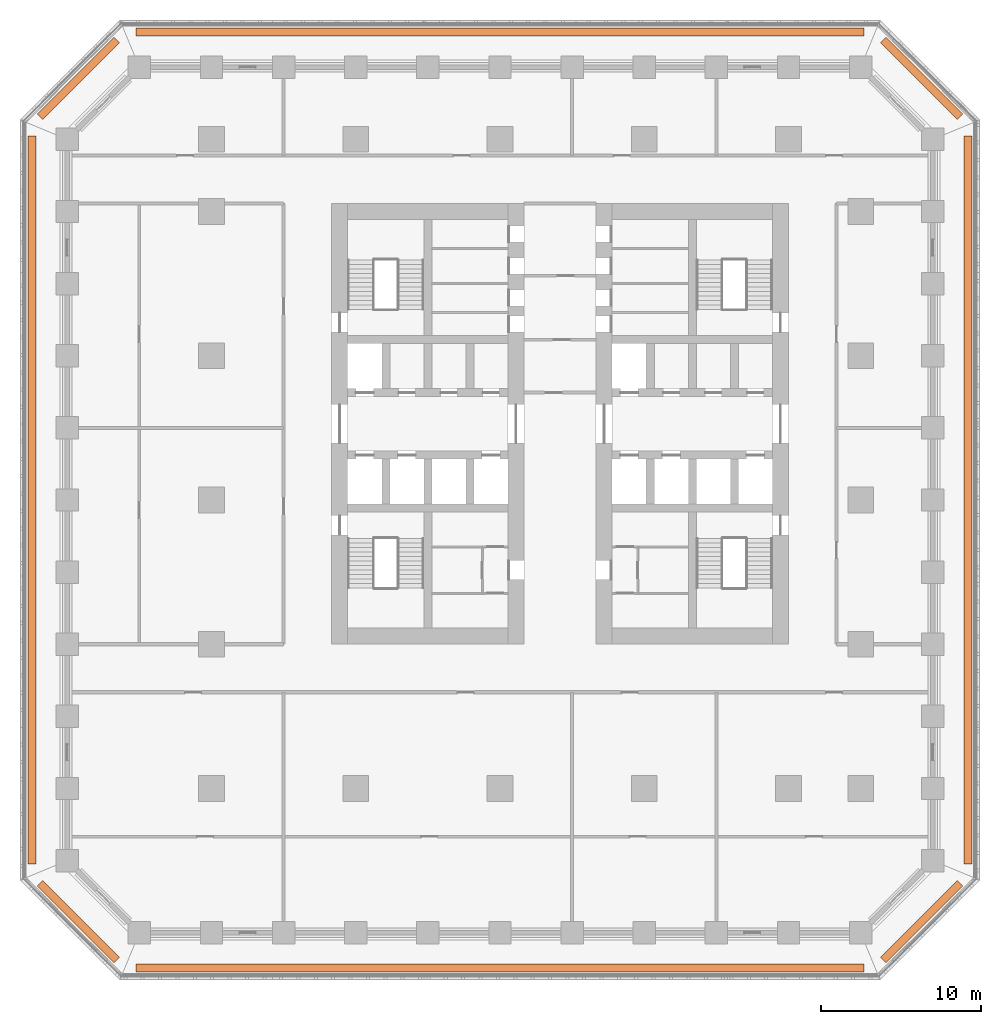
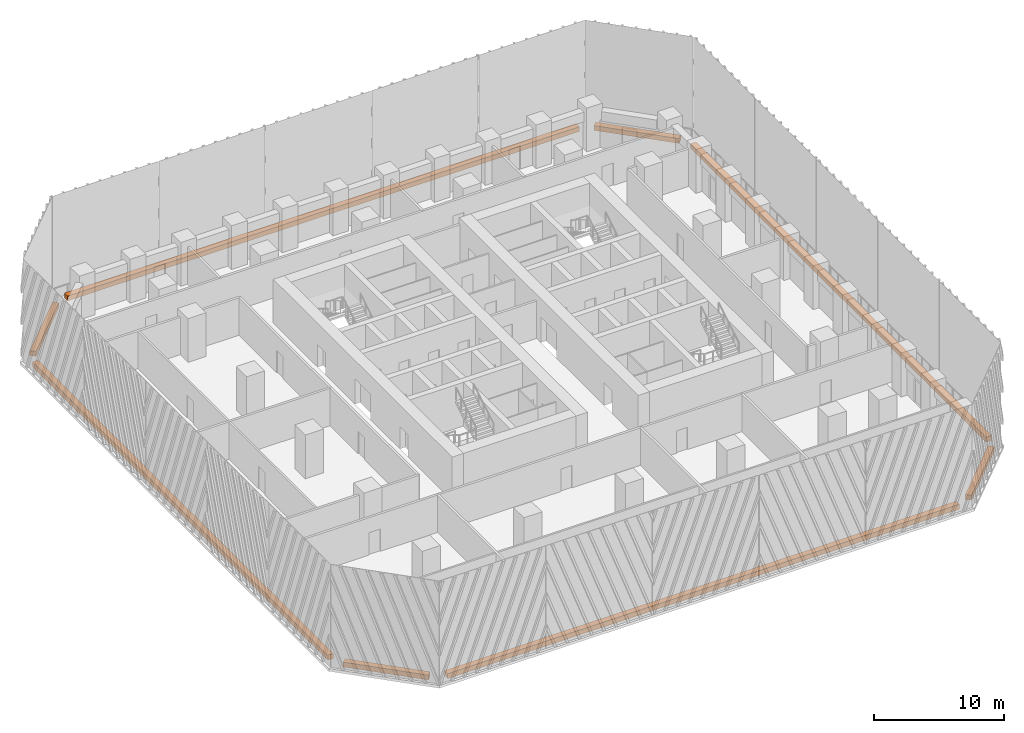
# One storey, part 12 of 12: 8 proxies.
"""IFC4 building model written with IfcOpenShell, lengths in metres."""

import ifcopenshell
import ifcopenshell.guid

model = None  # the IFC model being written
_history = None  # IfcOwnerHistory: only IFC2X3 demands one
_inside = {}  # id of a spatial element -> (the spatial element, [elements in it])
_under = {}  # id of a project, library or spatial element -> (it, [spatial elements below it])
_declared = {}  # id of a project -> (the project, [libraries it declares])
_typed = {}  # id of a type object -> (the type object, [elements of that type])
_made_of = {}  # id of a material, layer set ... -> (it, [elements and type objects made of it])


def new_model(schema):
    """Start an empty IFC model of exactly this schema.

    Asked for "IFC4X3", IfcOpenShell would pick the latest addendum, in which some entities
    have other attributes; the version numbers below select the first issue.
    IFC2X3 requires an IfcOwnerHistory on every rooted entity: one is made here for all.
    """
    global model, _history
    if schema == "IFC4X3":
        model = ifcopenshell.file(schema_version=(4, 3, 0, 0))
    else:
        model = ifcopenshell.file(schema=schema)
    _inside.clear()
    _under.clear()
    _declared.clear()
    _typed.clear()
    _made_of.clear()
    _history = None
    if model.schema == "IFC2X3":
        org = make("IfcOrganization", Name="unknown")
        user = make(
            "IfcPersonAndOrganization",
            ThePerson=make("IfcPerson", FamilyName="unknown"),
            TheOrganization=org,
        )
        app = make(
            "IfcApplication",
            ApplicationDeveloper=org,
            Version="unknown",
            ApplicationFullName="unknown",
            ApplicationIdentifier="unknown",
        )
        _history = make(
            "IfcOwnerHistory",
            OwningUser=user,
            OwningApplication=app,
            ChangeAction="ADDED",
            CreationDate=0,
        )
    return model


def make(cls, **values):
    """One entity of the class cls with the attributes given. An attribute that is None is left unset."""
    return model.create_entity(
        cls, **{name: value for name, value in values.items() if value is not None}
    )


def rooted(cls, **values):
    """An entity with a GlobalId (a new one), such as an element, a storey or a relation."""
    return make(cls, GlobalId=ifcopenshell.guid.new(), OwnerHistory=_history, **values)


def si_unit(unit_type, name, prefix=None):
    """IfcSIUnit, for example si_unit("LENGTHUNIT", "METRE", prefix="MILLI")."""
    return make("IfcSIUnit", UnitType=unit_type, Prefix=prefix, Name=name)


def assignment(units):
    """IfcUnitAssignment: the units of a project."""
    return None if units is None else make("IfcUnitAssignment", Units=units)


def point(xyz):
    """IfcCartesianPoint."""
    return None if xyz is None else make("IfcCartesianPoint", Coordinates=xyz)


def direction(xyz):
    """IfcDirection."""
    return None if xyz is None else make("IfcDirection", DirectionRatios=xyz)


def frame(location, z_axis=None, x_axis=None):
    """IfcAxis2Placement3D, a coordinate frame: its origin and axes. An axis left out is left unset."""
    return make(
        "IfcAxis2Placement3D",
        Location=point(location),
        Axis=direction(z_axis),
        RefDirection=direction(x_axis),
    )


def frame_2d(location, x_axis=None):
    """IfcAxis2Placement2D, a coordinate frame in the plane: its origin and x axis."""
    return make(
        "IfcAxis2Placement2D", Location=point(location), RefDirection=direction(x_axis)
    )


def origin():
    """The frame at (0, 0, 0) with its axes left unset."""
    return frame((0.0, 0.0, 0.0))


def origin_2d():
    """The frame at (0, 0) in the plane with its x axis left unset."""
    return frame_2d((0.0, 0.0))


def place(relative_to, where):
    """IfcLocalPlacement: puts the frame where relative to a parent placement (None: the world)."""
    return make(
        "IfcLocalPlacement", PlacementRelTo=relative_to, RelativePlacement=where
    )


def context(
    kind, dimensions, precision=None, world=None, true_north=None, identifier=None
):
    """IfcGeometricRepresentationContext, for example the 3D "Model" context."""
    return make(
        "IfcGeometricRepresentationContext",
        ContextIdentifier=identifier,
        ContextType=kind,
        CoordinateSpaceDimension=dimensions,
        Precision=precision,
        WorldCoordinateSystem=world,
        TrueNorth=true_north,
    )


def subcontext(parent, identifier, kind, view, scale=None):
    """IfcGeometricRepresentationSubContext, for example "Body" below "Model"."""
    return make(
        "IfcGeometricRepresentationSubContext",
        ContextIdentifier=identifier,
        ContextType=kind,
        ParentContext=parent,
        TargetScale=scale,
        TargetView=view,
    )


def project(units=None, contexts=None):
    """IfcProject with its units and contexts."""
    return rooted(
        "IfcProject",
        Name="project",
        RepresentationContexts=contexts,
        UnitsInContext=assignment(units),
    )


def spatial(cls, under=None, at=None, **own):
    """A site, building, storey or space (cls), placed at a placement, below another one or the project."""
    s = rooted(cls, ObjectPlacement=at, **own)
    if under is not None:
        _under.setdefault(under.id(), (under, []))[1].append(s)
    return s


def profile(cls, at=None, kind="AREA", **sizes):
    """A parametric profile (cls). Its sizes go by their IFC names, for example OverallWidth=200.0."""
    return make(cls, ProfileType=kind, Position=at, **sizes)


def rectangle(**sizes):
    """IfcRectangleProfileDef."""
    return profile("IfcRectangleProfileDef", **sizes)


def extrude(swept, where, along, depth):
    """IfcExtrudedAreaSolid: the profile swept, set in the frame where, extruded along a direction by depth."""
    return make(
        "IfcExtrudedAreaSolid",
        SweptArea=swept,
        Position=where,
        ExtrudedDirection=direction(along),
        Depth=depth,
    )


def shape(context_of_items, identifier, shape_type, items):
    """IfcShapeRepresentation: the items that make up one representation, for example the "Body"."""
    return make(
        "IfcShapeRepresentation",
        ContextOfItems=context_of_items,
        RepresentationIdentifier=identifier,
        RepresentationType=shape_type,
        Items=items,
    )


def material(Name=None, Category=None):
    """IfcMaterial."""
    return make("IfcMaterial", Name=Name, Category=Category)


def made_of(thing, what):
    """Note that an element or type object is made of a material, layer set ...; save() writes the relation."""
    if what is not None:
        _made_of.setdefault(what.id(), (what, []))[1].append(thing)
    return thing


def type_object(cls, material=None, **own):
    """A type object (cls), such as IfcWallType, which elements share."""
    return made_of(rooted(cls, **own), material)


def element(
    cls,
    number,
    at=None,
    inside=None,
    cuts=None,
    type_object=None,
    material=None,
    context=None,
    identifier="Body",
    shape_type=None,
    held_by="IfcProductDefinitionShape",
    body=None,
    shapes=None,
    **own,
):
    """One element of the class cls, such as IfcWall. Its Tag is "e" and its number.

    at: its placement. inside: the storey or other place that contains it. cuts: it is an
    opening in that element (IfcRelVoidsElement). A single representation is given by context,
    identifier, shape_type and body (its items); several are given by shapes. held_by: the class
    of the entity that holds the representations. save() writes the other relations.
    """
    e = rooted(cls, Tag="e%d" % number, ObjectPlacement=at, **own)
    if body is not None:
        shapes = [shape(context, identifier, shape_type, body)]
    if shapes is not None:
        e.Representation = make(held_by, Representations=shapes)
    if inside is not None:
        _inside.setdefault(inside.id(), (inside, []))[1].append(e)
    if cuts is not None:
        rooted(
            "IfcRelVoidsElement", RelatingBuildingElement=cuts, RelatedOpeningElement=e
        )
    if type_object is not None:
        _typed.setdefault(type_object.id(), (type_object, []))[1].append(e)
    return made_of(e, material)


def aggregate(whole, parts):
    """IfcRelAggregates: a whole, such as a stair, and the parts it consists of."""
    return rooted("IfcRelAggregates", RelatingObject=whole, RelatedObjects=parts)


def save(model, path):
    """Write the relations noted so far, then the file.

    IfcRelAggregates (storeys below a building ...), IfcRelContainedInSpatialStructure (elements
    in a storey), IfcRelDefinesByType, IfcRelAssociatesMaterial and IfcRelDeclares: one each for
    every whole, place, type object, material and project.
    """
    for whole, parts in _under.values():
        aggregate(whole, parts)
    for where, things in _inside.values():
        rooted(
            "IfcRelContainedInSpatialStructure",
            RelatedElements=things,
            RelatingStructure=where,
        )
    for kind, things in _typed.values():
        rooted("IfcRelDefinesByType", RelatedObjects=things, RelatingType=kind)
    for what, things in _made_of.values():
        rooted("IfcRelAssociatesMaterial", RelatedObjects=things, RelatingMaterial=what)
    for by, libraries in _declared.values():
        rooted("IfcRelDeclares", RelatingContext=by, RelatedDefinitions=libraries)
    model.write(path)


model = new_model("IFC4")

# Units and contexts
model_context = context("Model", 3, precision=1e-05, world=origin(), true_north=direction((0.0, 1.0)))
body_context = subcontext(model_context, "Body", "Model", "MODEL_VIEW")
ifc_project = project(units=[si_unit("LENGTHUNIT", "METRE"), si_unit("AREAUNIT", "SQUARE_METRE"), si_unit("VOLUMEUNIT", "CUBIC_METRE"), si_unit("PLANEANGLEUNIT", "RADIAN"), si_unit("MASSUNIT", "GRAM", prefix="KILO")], contexts=[model_context])

# Site, building, storey
site_placement = place(None, origin())
site = spatial("IfcSite", under=ifc_project, at=site_placement, CompositionType="ELEMENT")
building_placement = place(site_placement, origin())
building = spatial("IfcBuilding", under=site, at=building_placement, Name="Corbel Stack Research Tower", CompositionType="ELEMENT")
storey_placement = place(building_placement, frame((0.0, 0.0, 31.800048828125)))
storey = spatial("IfcBuildingStorey", under=building, at=storey_placement, Name="L07", CompositionType="ELEMENT", Elevation=31.800048828125)

# Proxies
ifc_material = material(Name="Concrete C45/55", Category="concrete")
building_element_proxy_type = type_object("IfcBuildingElementProxyType", Name="Planter box", PredefinedType="USERDEFINED", material=ifc_material)
proxy_1_placement = place(storey_placement, frame((0.0, -29.199951171875, 0.0), z_axis=(0.0, 0.0, 1.0), x_axis=(1.0, 0.0, 0.0)))
element("IfcBuildingElementProxy", 1, at=proxy_1_placement, inside=storey, type_object=building_element_proxy_type, Name="Planter L07 S", ObjectType="PLANTER", PredefinedType="USERDEFINED", context=body_context, shape_type="SweptSolid", body=[
    extrude(rectangle(XDim=45.41064453125, YDim=0.5, at=origin_2d()), origin(), (0.0, 0.0, 1.0), 0.449951171875),
])
proxy_2_placement = place(storey_placement, frame((26.3056640625, -26.3056640625, 0.0), z_axis=(0.0, 0.0, 1.0), x_axis=(0.707106781187, 0.707106781187, 0.0)))
element("IfcBuildingElementProxy", 2, at=proxy_2_placement, inside=storey, type_object=building_element_proxy_type, Name="Planter L07 SE", ObjectType="PLANTER", PredefinedType="USERDEFINED", context=body_context, shape_type="SweptSolid", body=[
    extrude(rectangle(XDim=6.774658203125, YDim=0.5, at=origin_2d()), origin(), (0.0, 0.0, 1.0), 0.449951171875),
])
proxy_3_placement = place(storey_placement, frame((29.199951171875, 0.0, 0.0), z_axis=(0.0, 0.0, 1.0), x_axis=(0.0, 1.0, 0.0)))
element("IfcBuildingElementProxy", 3, at=proxy_3_placement, inside=storey, type_object=building_element_proxy_type, Name="Planter L07 E", ObjectType="PLANTER", PredefinedType="USERDEFINED", context=body_context, shape_type="SweptSolid", body=[
    extrude(rectangle(XDim=45.41064453125, YDim=0.5, at=origin_2d()), origin(), (0.0, 0.0, 1.0), 0.449951171875),
])
proxy_4_placement = place(storey_placement, frame((26.3056640625, 26.3056640625, 0.0), z_axis=(0.0, 0.0, 1.0), x_axis=(-0.707106781187, 0.707106781187, 0.0)))
element("IfcBuildingElementProxy", 4, at=proxy_4_placement, inside=storey, type_object=building_element_proxy_type, Name="Planter L07 NE", ObjectType="PLANTER", PredefinedType="USERDEFINED", context=body_context, shape_type="SweptSolid", body=[
    extrude(rectangle(XDim=6.774658203125, YDim=0.5, at=origin_2d()), origin(), (0.0, 0.0, 1.0), 0.449951171875),
])
proxy_5_placement = place(storey_placement, frame((0.0, 29.199951171875, 0.0), z_axis=(0.0, 0.0, 1.0), x_axis=(-1.0, 0.0, 0.0)))
element("IfcBuildingElementProxy", 5, at=proxy_5_placement, inside=storey, type_object=building_element_proxy_type, Name="Planter L07 N", ObjectType="PLANTER", PredefinedType="USERDEFINED", context=body_context, shape_type="SweptSolid", body=[
    extrude(rectangle(XDim=45.41064453125, YDim=0.5, at=origin_2d()), origin(), (0.0, 0.0, 1.0), 0.449951171875),
])
proxy_6_placement = place(storey_placement, frame((-26.3056640625, 26.3056640625, 0.0), z_axis=(0.0, 0.0, 1.0), x_axis=(-0.707106781187, -0.707106781187, 0.0)))
element("IfcBuildingElementProxy", 6, at=proxy_6_placement, inside=storey, type_object=building_element_proxy_type, Name="Planter L07 NW", ObjectType="PLANTER", PredefinedType="USERDEFINED", context=body_context, shape_type="SweptSolid", body=[
    extrude(rectangle(XDim=6.774658203125, YDim=0.5, at=origin_2d()), origin(), (0.0, 0.0, 1.0), 0.449951171875),
])
proxy_7_placement = place(storey_placement, frame((-29.199951171875, 0.0, 0.0), z_axis=(0.0, 0.0, 1.0), x_axis=(0.0, -1.0, 0.0)))
element("IfcBuildingElementProxy", 7, at=proxy_7_placement, inside=storey, type_object=building_element_proxy_type, Name="Planter L07 W", ObjectType="PLANTER", PredefinedType="USERDEFINED", context=body_context, shape_type="SweptSolid", body=[
    extrude(rectangle(XDim=45.41064453125, YDim=0.5, at=origin_2d()), origin(), (0.0, 0.0, 1.0), 0.449951171875),
])
proxy_8_placement = place(storey_placement, frame((-26.3056640625, -26.3056640625, 0.0), z_axis=(0.0, 0.0, 1.0), x_axis=(0.707106781187, -0.707106781187, 0.0)))
element("IfcBuildingElementProxy", 8, at=proxy_8_placement, inside=storey, type_object=building_element_proxy_type, Name="Planter L07 SW", ObjectType="PLANTER", PredefinedType="USERDEFINED", context=body_context, shape_type="SweptSolid", body=[
    extrude(rectangle(XDim=6.774658203125, YDim=0.5, at=origin_2d()), origin(), (0.0, 0.0, 1.0), 0.449951171875),
])

save(model, "model.ifc")
